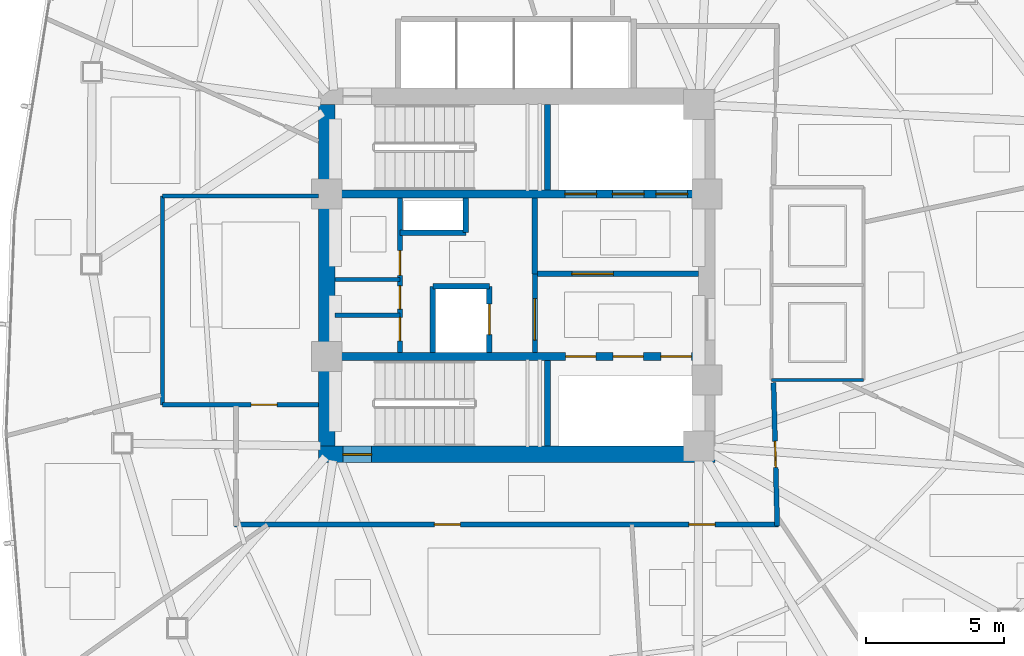
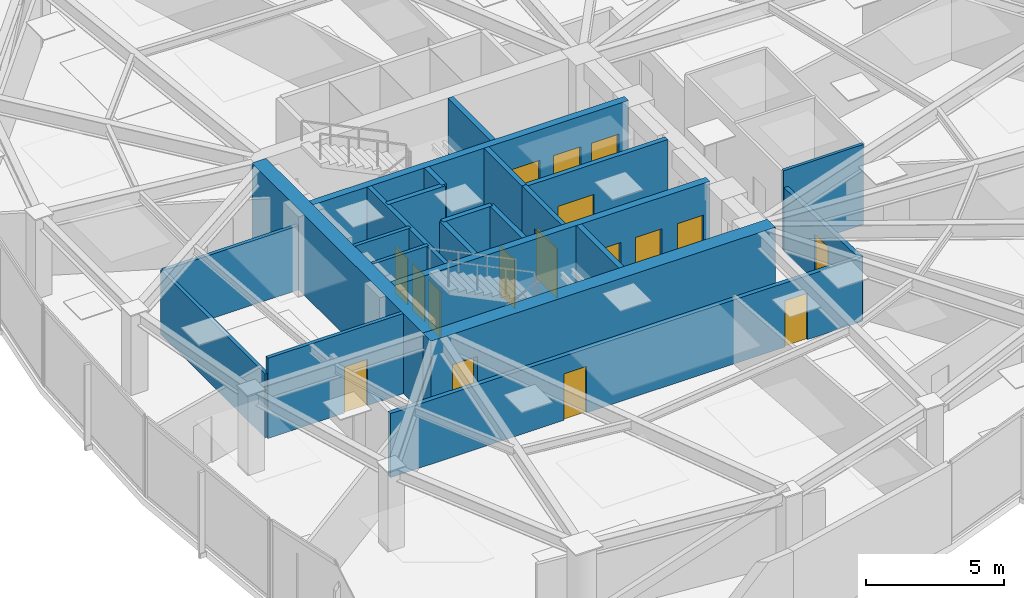
# One storey, part 11 of 17: 23 walls, 17 doors, 17 openings.
"""IFC4 building model written with IfcOpenShell, lengths in metres."""

from ifc_helpers import new_model, si_unit, direction, frame, frame_2d, origin, place, context, subcontext, project, spatial, rectangle, extrude, material, layer, layer_set, type_object, element, fill, save


model = new_model("IFC4")

# Units and contexts
model_context = context("Model", 3, precision=1e-05, world=origin(), true_north=direction((0.0, 1.0)))
body_context = subcontext(model_context, "Body", "Model", "MODEL_VIEW")
ifc_project = project(units=[si_unit("LENGTHUNIT", "METRE"), si_unit("AREAUNIT", "SQUARE_METRE"), si_unit("VOLUMEUNIT", "CUBIC_METRE"), si_unit("PLANEANGLEUNIT", "RADIAN"), si_unit("MASSUNIT", "GRAM", prefix="KILO")], contexts=[model_context])

# Site, building, storey
site_placement = place(None, origin())
site = spatial("IfcSite", under=ifc_project, at=site_placement, CompositionType="ELEMENT")
building_placement = place(site_placement, origin())
building = spatial("IfcBuilding", under=site, at=building_placement, Name="Tavelor Broadcast Tower", CompositionType="ELEMENT")
storey_placement = place(building_placement, frame((0.0, 0.0, 134.85009765625)))
storey = spatial("IfcBuildingStorey", under=building, at=storey_placement, Name="L31", CompositionType="ELEMENT", Elevation=134.85009765625)

# Wall, opening, door
ifc_material_1 = material(Name="Concrete C60/75", Category="concrete")
ifc_layer_1 = layer(ifc_material_1, 0.60009765625)
ifc_layer_set_1 = layer_set([ifc_layer_1], Name="Concrete C60/75")
wall_type_1 = type_object("IfcWallType", Name="Core Shear Wall 600 mm", PredefinedType="SHEAR", material=ifc_layer_set_1)
wall_1_placement = place(storey_placement, frame((42.800048828125, 38.5, 0.0), z_axis=(0.0, 0.0, 1.0), x_axis=(1.0, 0.0, 0.0)))
wall_1 = element("IfcWall", 1, at=wall_1_placement, inside=storey, type_object=wall_type_1, Name="L31 Central Core Shear Wall S", PredefinedType="SHEAR", context=body_context, shape_type="SweptSolid", body=[
    extrude(rectangle(XDim=14.39990234375, YDim=0.60009765625, at=frame_2d((7.199951171875, 0.0))), origin(), (0.0, 0.0, 1.0), 3.5498046875),
])
opening_1_placement = place(wall_1_placement, frame((0.8798828125, 0.0, 0.0)))
opening_1 = element("IfcOpeningElement", 2, at=opening_1_placement, cuts=wall_1, Name="Opening DR11", PredefinedType="OPENING", context=body_context, shape_type="SweptSolid", body=[
    extrude(rectangle(XDim=1.050048828125, YDim=2.199951171875, at=frame_2d((0.52490234375, 1.10009765625))), frame((0.0, 0.31005859375, 0.0), z_axis=(0.0, -1.0, 0.0), x_axis=(1.0, 0.0, 0.0)), (0.0, 0.0, 1.0), 0.6201171875),
])
ifc_material_2 = material(Name="Steel S355", Category="steel")
door_type_1 = type_object("IfcDoorType", Name="Stair Core Fire Escape Door 1050x2200", OperationType="NOTDEFINED", PredefinedType="DOOR", material=ifc_material_2)
door_1_placement = place(opening_1_placement, origin())
door_1 = element("IfcDoor", 3, at=door_1_placement, inside=storey, type_object=door_type_1, Name="L31 Stair ST2 Protected Exit Door", OperationType="SINGLE_SWING_RIGHT", OverallHeight=2.199951171875, OverallWidth=1.050048828125, PredefinedType="DOOR", context=body_context, shape_type="SweptSolid", body=[
    extrude(rectangle(XDim=1.050048828125, YDim=2.199951171875, at=frame_2d((0.52490234375, 1.10009765625))), frame((0.0, 0.02490234375, 0.0), z_axis=(0.0, -1.0, 0.0), x_axis=(1.0, 0.0, 0.0)), (0.0, 0.0, 1.0), 0.050048828125),
])
fill(opening_1, door_1)

# Wall
wall_2_placement = place(storey_placement, frame((43.10009765625, 38.800048828125, 0.0), z_axis=(0.0, 0.0, 1.0), x_axis=(0.0, 1.0, 0.0)))
element("IfcWall", 4, at=wall_2_placement, inside=storey, type_object=wall_type_1, Name="L31 Central Core Shear Wall W", PredefinedType="SHEAR", context=body_context, shape_type="SweptSolid", body=[
    extrude(rectangle(XDim=12.39990234375, YDim=0.60009765625, at=frame_2d((6.199951171875, 0.0))), origin(), (0.0, 0.0, 1.0), 3.5498046875),
])

# Wall, openings, doors
ifc_layer_2 = layer(ifc_material_1, 0.300048828125)
ifc_layer_set_2 = layer_set([ifc_layer_2], Name="Concrete C60/75")
wall_type_2 = type_object("IfcWallType", Name="Core Spine Shear Wall 300 mm C60", PredefinedType="SHEAR", material=ifc_layer_set_2)
wall_3_placement = place(storey_placement, frame((43.39990234375, 47.949951171875, 0.0), z_axis=(0.0, 0.0, 1.0), x_axis=(1.0, 0.0, 0.0)))
wall_3 = element("IfcWall", 5, at=wall_3_placement, inside=storey, type_object=wall_type_2, Name="L31 Central Core Shear Wall SP1", PredefinedType="SHEAR", context=body_context, shape_type="SweptSolid", body=[
    extrude(rectangle(XDim=13.2001953125, YDim=0.300048828125, at=frame_2d((6.60009765625, 0.0))), origin(), (0.0, 0.0, 1.0), 3.5498046875),
])
opening_2_placement = place(wall_3_placement, frame((8.344970703125, 0.0, 0.0)))
opening_2 = element("IfcOpeningElement", 6, at=opening_2_placement, cuts=wall_3, Name="Opening LD02", PredefinedType="OPENING", context=body_context, shape_type="SweptSolid", body=[
    extrude(rectangle(XDim=1.14990234375, YDim=2.199951171875, at=frame_2d((0.574951171875, 1.10009765625))), frame((0.0, 0.16015625, 0.0), z_axis=(0.0, -1.0, 0.0), x_axis=(1.0, 0.0, 0.0)), (0.0, 0.0, 1.0), 0.320068359375),
])
opening_3_placement = place(wall_3_placement, frame((10.06494140625, 0.0, 0.0)))
opening_3 = element("IfcOpeningElement", 7, at=opening_3_placement, cuts=wall_3, Name="Opening LD02", PredefinedType="OPENING", context=body_context, shape_type="SweptSolid", body=[
    extrude(rectangle(XDim=1.14990234375, YDim=2.199951171875, at=frame_2d((0.574951171875, 1.10009765625))), frame((0.0, 0.16015625, 0.0), z_axis=(0.0, -1.0, 0.0), x_axis=(1.0, 0.0, 0.0)), (0.0, 0.0, 1.0), 0.320068359375),
])
opening_4_placement = place(wall_3_placement, frame((11.64501953125, 0.0, 0.0)))
opening_4 = element("IfcOpeningElement", 8, at=opening_4_placement, cuts=wall_3, Name="Opening LD03", PredefinedType="OPENING", context=body_context, shape_type="SweptSolid", body=[
    extrude(rectangle(XDim=1.14990234375, YDim=2.199951171875, at=frame_2d((0.574951171875, 1.10009765625))), frame((0.0, 0.16015625, 0.0), z_axis=(0.0, -1.0, 0.0), x_axis=(1.0, 0.0, 0.0)), (0.0, 0.0, 1.0), 0.320068359375),
])
ifc_material_3 = material(Name="Reinforced Brushed Stainless Steel", Category="concrete")
door_type_2 = type_object("IfcDoorType", Name="Broadcast Goods Lift Sliding Landing Door 1250x2200", OperationType="NOTDEFINED", PredefinedType="DOOR", material=ifc_material_3)
door_2_placement = place(opening_4_placement, origin())
door_2 = element("IfcDoor", 9, at=door_2_placement, inside=storey, type_object=door_type_2, Name="L31 Lift SVL1 Sliding Landing Door", OperationType="SLIDING_TO_LEFT", OverallHeight=2.199951171875, OverallWidth=1.14990234375, PredefinedType="DOOR", context=body_context, shape_type="SweptSolid", body=[
    extrude(rectangle(XDim=1.14990234375, YDim=2.199951171875, at=frame_2d((0.574951171875, 1.10009765625))), frame((0.0, 0.02490234375, 0.0), z_axis=(0.0, -1.0, 0.0), x_axis=(1.0, 0.0, 0.0)), (0.0, 0.0, 1.0), 0.050048828125),
])
fill(opening_4, door_2)
ifc_material_4 = material(Name="Fire-Rated Stainless Steel", Category="steel")
door_type_3 = type_object("IfcDoorType", Name="Firefighting Lift Sliding Landing Door 1200x2200", OperationType="NOTDEFINED", PredefinedType="DOOR", material=ifc_material_4)
door_3_placement = place(opening_2_placement, origin())
door_3 = element("IfcDoor", 10, at=door_3_placement, inside=storey, type_object=door_type_3, Name="L31 Lift FFL1 Sliding Landing Door", OperationType="SLIDING_TO_LEFT", OverallHeight=2.199951171875, OverallWidth=1.14990234375, PredefinedType="DOOR", context=body_context, shape_type="SweptSolid", body=[
    extrude(rectangle(XDim=1.14990234375, YDim=2.199951171875, at=frame_2d((0.574951171875, 1.10009765625))), frame((0.0, 0.02490234375, 0.0), z_axis=(0.0, -1.0, 0.0), x_axis=(1.0, 0.0, 0.0)), (0.0, 0.0, 1.0), 0.050048828125),
])
fill(opening_2, door_3)
door_4_placement = place(opening_3_placement, origin())
door_4 = element("IfcDoor", 11, at=door_4_placement, inside=storey, type_object=door_type_3, Name="L31 Lift FFL2 Sliding Landing Door", OperationType="SLIDING_TO_LEFT", OverallHeight=2.199951171875, OverallWidth=1.14990234375, PredefinedType="DOOR", context=body_context, shape_type="SweptSolid", body=[
    extrude(rectangle(XDim=1.14990234375, YDim=2.199951171875, at=frame_2d((0.574951171875, 1.10009765625))), frame((0.0, 0.02490234375, 0.0), z_axis=(0.0, -1.0, 0.0), x_axis=(1.0, 0.0, 0.0)), (0.0, 0.0, 1.0), 0.050048828125),
])
fill(opening_3, door_4)

wall_4_placement = place(storey_placement, frame((43.39990234375, 42.050048828125, 0.0), z_axis=(0.0, 0.0, 1.0), x_axis=(1.0, 0.0, 0.0)))
wall_4 = element("IfcWall", 12, at=wall_4_placement, inside=storey, type_object=wall_type_2, Name="L31 Central Core Shear Wall SP2", PredefinedType="SHEAR", context=body_context, shape_type="SweptSolid", body=[
    extrude(rectangle(XDim=13.2001953125, YDim=0.300048828125, at=frame_2d((6.60009765625, 0.0))), origin(), (0.0, 0.0, 1.0), 3.5498046875),
])
opening_5_placement = place(wall_4_placement, frame((8.3701171875, 0.0, 0.0)))
opening_5 = element("IfcOpeningElement", 13, at=opening_5_placement, cuts=wall_4, Name="Opening LD01", PredefinedType="OPENING", context=body_context, shape_type="SweptSolid", body=[
    extrude(rectangle(XDim=1.10009765625, YDim=2.14990234375, at=frame_2d((0.550048828125, 1.074951171875))), frame((0.0, 0.16015625, 0.0), z_axis=(0.0, -1.0, 0.0), x_axis=(1.0, 0.0, 0.0)), (0.0, 0.0, 1.0), 0.320068359375),
])
opening_6_placement = place(wall_4_placement, frame((10.090087890625, 0.0, 0.0)))
opening_6 = element("IfcOpeningElement", 14, at=opening_6_placement, cuts=wall_4, Name="Opening LD01", PredefinedType="OPENING", context=body_context, shape_type="SweptSolid", body=[
    extrude(rectangle(XDim=1.10009765625, YDim=2.14990234375, at=frame_2d((0.550048828125, 1.074951171875))), frame((0.0, 0.16015625, 0.0), z_axis=(0.0, -1.0, 0.0), x_axis=(1.0, 0.0, 0.0)), (0.0, 0.0, 1.0), 0.320068359375),
])
opening_7_placement = place(wall_4_placement, frame((11.830078125, 0.0, 0.0)))
opening_7 = element("IfcOpeningElement", 15, at=opening_7_placement, cuts=wall_4, Name="Opening LD01", PredefinedType="OPENING", context=body_context, shape_type="SweptSolid", body=[
    extrude(rectangle(XDim=1.10009765625, YDim=2.14990234375, at=frame_2d((0.550048828125, 1.074951171875))), frame((0.0, 0.16015625, 0.0), z_axis=(0.0, -1.0, 0.0), x_axis=(1.0, 0.0, 0.0)), (0.0, 0.0, 1.0), 0.320068359375),
])
ifc_material_5 = material(Name="Brushed Stainless Steel", Category="steel")
door_type_4 = type_object("IfcDoorType", Name="Passenger Lift Sliding Landing Door 1100x2150", OperationType="NOTDEFINED", PredefinedType="DOOR", material=ifc_material_5)
door_5_placement = place(opening_5_placement, origin())
door_5 = element("IfcDoor", 16, at=door_5_placement, inside=storey, type_object=door_type_4, Name="L31 Lift PLM1 Sliding Landing Door", OperationType="SLIDING_TO_LEFT", OverallHeight=2.14990234375, OverallWidth=1.10009765625, PredefinedType="DOOR", context=body_context, shape_type="SweptSolid", body=[
    extrude(rectangle(XDim=1.10009765625, YDim=2.14990234375, at=frame_2d((0.550048828125, 1.074951171875))), frame((0.0, 0.02490234375, 0.0), z_axis=(0.0, -1.0, 0.0), x_axis=(1.0, 0.0, 0.0)), (0.0, 0.0, 1.0), 0.050048828125),
])
fill(opening_5, door_5)
door_6_placement = place(opening_6_placement, origin())
door_6 = element("IfcDoor", 17, at=door_6_placement, inside=storey, type_object=door_type_4, Name="L31 Lift PLM2 Sliding Landing Door", OperationType="SLIDING_TO_LEFT", OverallHeight=2.14990234375, OverallWidth=1.10009765625, PredefinedType="DOOR", context=body_context, shape_type="SweptSolid", body=[
    extrude(rectangle(XDim=1.10009765625, YDim=2.14990234375, at=frame_2d((0.550048828125, 1.074951171875))), frame((0.0, 0.02490234375, 0.0), z_axis=(0.0, -1.0, 0.0), x_axis=(1.0, 0.0, 0.0)), (0.0, 0.0, 1.0), 0.050048828125),
])
fill(opening_6, door_6)
door_7_placement = place(opening_7_placement, origin())
door_7 = element("IfcDoor", 18, at=door_7_placement, inside=storey, type_object=door_type_4, Name="L31 Lift PLM3 Sliding Landing Door", OperationType="SLIDING_TO_LEFT", OverallHeight=2.14990234375, OverallWidth=1.10009765625, PredefinedType="DOOR", context=body_context, shape_type="SweptSolid", body=[
    extrude(rectangle(XDim=1.10009765625, YDim=2.14990234375, at=frame_2d((0.550048828125, 1.074951171875))), frame((0.0, 0.02490234375, 0.0), z_axis=(0.0, -1.0, 0.0), x_axis=(1.0, 0.0, 0.0)), (0.0, 0.0, 1.0), 0.050048828125),
])
fill(opening_7, door_7)

# Wall, opening, door
ifc_material_6 = material(Name="Calcium Silicate Fire Board 180 mm", Category="gypsum")
ifc_layer_3 = layer(ifc_material_6, 0.179931640625)
ifc_layer_set_3 = layer_set([ifc_layer_3], Name="Calcium Silicate Fire Board 180 mm")
wall_type_3 = type_object("IfcWallType", Name="Fire-Rated Corridor Partition Wall 180 mm", PredefinedType="PARTITIONING", material=ifc_layer_set_3)
wall_5_placement = place(storey_placement, frame((50.64990234375, 42.199951171875, 0.0), z_axis=(0.0, 0.0, 1.0), x_axis=(0.0, 1.0, 0.0)))
wall_5 = element("IfcWall", 19, at=wall_5_placement, inside=storey, type_object=wall_type_3, Name="L31 Core Lobby Zoning Wall", PredefinedType="PARTITIONING", context=body_context, shape_type="SweptSolid", body=[
    extrude(rectangle(XDim=2.85009765625, YDim=0.179931640625, at=frame_2d((1.425048828125, 0.0))), origin(), (0.0, 0.0, 1.0), 3.5498046875),
])
opening_8_placement = place(wall_5_placement, frame((0.449951171875, 0.0, 0.0)))
opening_8 = element("IfcOpeningElement", 20, at=opening_8_placement, cuts=wall_5, Name="Opening DR14", PredefinedType="OPENING", context=body_context, shape_type="SweptSolid", body=[
    extrude(rectangle(XDim=1.5, YDim=2.199951171875, at=frame_2d((0.75, 1.10009765625))), frame((0.0, 0.10009765625, 0.0), z_axis=(0.0, -1.0, 0.0), x_axis=(1.0, 0.0, 0.0)), (0.0, 0.0, 1.0), 0.199951171875),
])
door_type_5 = type_object("IfcDoorType", Name="Firefighting Lobby Double Fire Door 1500x2200", OperationType="NOTDEFINED", PredefinedType="DOOR", material=ifc_material_2)
door_8_placement = place(opening_8_placement, origin())
door_8 = element("IfcDoor", 21, at=door_8_placement, inside=storey, type_object=door_type_5, Name="L31 Core West Lobby Double Fire Door", OperationType="SINGLE_SWING_LEFT", OverallHeight=2.199951171875, OverallWidth=1.5, PredefinedType="DOOR", context=body_context, shape_type="SweptSolid", body=[
    extrude(rectangle(XDim=1.5, YDim=2.199951171875, at=frame_2d((0.75, 1.10009765625))), frame((0.0, 0.02490234375, 0.0), z_axis=(0.0, -1.0, 0.0), x_axis=(1.0, 0.0, 0.0)), (0.0, 0.0, 1.0), 0.050048828125),
])
fill(opening_8, door_8)

# Wall, openings, doors
wall_6_placement = place(storey_placement, frame((45.75, 42.199951171875, 0.0), z_axis=(0.0, 0.0, 1.0), x_axis=(0.0, 1.0, 0.0)))
wall_6 = element("IfcWall", 22, at=wall_6_placement, inside=storey, type_object=wall_type_3, Name="L31 Core West Service East Wall", PredefinedType="PARTITIONING", context=body_context, shape_type="SweptSolid", body=[
    extrude(rectangle(XDim=5.60009765625, YDim=0.179931640625, at=frame_2d((2.800048828125, 0.0))), origin(), (0.0, 0.0, 1.0), 3.5498046875),
])
opening_9_placement = place(wall_6_placement, frame((0.419921875, 0.0, 0.0)))
opening_9 = element("IfcOpeningElement", 23, at=opening_9_placement, cuts=wall_6, Name="Opening DR36", PredefinedType="OPENING", context=body_context, shape_type="SweptSolid", body=[
    extrude(rectangle(XDim=0.85009765625, YDim=2.050048828125, at=frame_2d((0.425048828125, 1.02490234375))), frame((0.0, 0.10009765625, 0.0), z_axis=(0.0, -1.0, 0.0), x_axis=(1.0, 0.0, 0.0)), (0.0, 0.0, 1.0), 0.199951171875),
])
opening_10_placement = place(wall_6_placement, frame((1.570068359375, 0.0, 0.0)))
opening_10 = element("IfcOpeningElement", 24, at=opening_10_placement, cuts=wall_6, Name="Opening DR36", PredefinedType="OPENING", context=body_context, shape_type="SweptSolid", body=[
    extrude(rectangle(XDim=0.85009765625, YDim=2.050048828125, at=frame_2d((0.425048828125, 1.02490234375))), frame((0.0, 0.10009765625, 0.0), z_axis=(0.0, -1.0, 0.0), x_axis=(1.0, 0.0, 0.0)), (0.0, 0.0, 1.0), 0.199951171875),
])
opening_11_placement = place(wall_6_placement, frame((2.800048828125, 0.0, 0.0)))
opening_11 = element("IfcOpeningElement", 25, at=opening_11_placement, cuts=wall_6, Name="Opening DR32", PredefinedType="OPENING", context=body_context, shape_type="SweptSolid", body=[
    extrude(rectangle(XDim=0.89990234375, YDim=2.050048828125, at=frame_2d((0.449951171875, 1.02490234375))), frame((0.0, 0.10009765625, 0.0), z_axis=(0.0, -1.0, 0.0), x_axis=(1.0, 0.0, 0.0)), (0.0, 0.0, 1.0), 0.199951171875),
])
ifc_material_7 = material(Name="Timber Solid Core Hardwood", Category="wood")
door_type_6 = type_object("IfcDoorType", Name="Accessible Washroom Door 900x2050", OperationType="NOTDEFINED", PredefinedType="DOOR", material=ifc_material_7)
door_9_placement = place(opening_11_placement, origin())
door_9 = element("IfcDoor", 26, at=door_9_placement, inside=storey, type_object=door_type_6, Name="L31 Core Accessible WC Door", OperationType="SINGLE_SWING_LEFT", OverallHeight=2.050048828125, OverallWidth=0.89990234375, PredefinedType="DOOR", context=body_context, shape_type="SweptSolid", body=[
    extrude(rectangle(XDim=0.89990234375, YDim=2.050048828125, at=frame_2d((0.449951171875, 1.02490234375))), frame((0.0, 0.02490234375, 0.0), z_axis=(0.0, -1.0, 0.0), x_axis=(1.0, 0.0, 0.0)), (0.0, 0.0, 1.0), 0.050048828125),
])
fill(opening_11, door_9)
door_type_7 = type_object("IfcDoorType", Name="Service Room Fire Door 850x2050", OperationType="NOTDEFINED", PredefinedType="DOOR", material=ifc_material_2)
door_10_placement = place(opening_9_placement, origin())
door_10 = element("IfcDoor", 27, at=door_10_placement, inside=storey, type_object=door_type_7, Name="L31 Core Medical Room Door", OperationType="SINGLE_SWING_LEFT", OverallHeight=2.050048828125, OverallWidth=0.85009765625, PredefinedType="DOOR", context=body_context, shape_type="SweptSolid", body=[
    extrude(rectangle(XDim=0.85009765625, YDim=2.050048828125, at=frame_2d((0.425048828125, 1.02490234375))), frame((0.0, 0.02490234375, 0.0), z_axis=(0.0, -1.0, 0.0), x_axis=(1.0, 0.0, 0.0)), (0.0, 0.0, 1.0), 0.050048828125),
])
fill(opening_9, door_10)
door_11_placement = place(opening_10_placement, origin())
door_11 = element("IfcDoor", 28, at=door_11_placement, inside=storey, type_object=door_type_7, Name="L31 Core Copy Room Door", OperationType="SINGLE_SWING_RIGHT", OverallHeight=2.050048828125, OverallWidth=0.85009765625, PredefinedType="DOOR", context=body_context, shape_type="SweptSolid", body=[
    extrude(rectangle(XDim=0.85009765625, YDim=2.050048828125, at=frame_2d((0.425048828125, 1.02490234375))), frame((0.0, 0.02490234375, 0.0), z_axis=(0.0, -1.0, 0.0), x_axis=(1.0, 0.0, 0.0)), (0.0, 0.0, 1.0), 0.050048828125),
])
fill(opening_10, door_11)

# Wall, opening, door
wall_7_placement = place(storey_placement, frame((59.31640625, 41.10009765625, 0.0), z_axis=(0.0, 0.0, 1.0), x_axis=(0.025953695765, -0.999663146103, 0.0)))
wall_7 = element("IfcWall", 29, at=wall_7_placement, inside=storey, type_object=wall_type_3, Name="L31 Corridor Compartment Wall 03", PredefinedType="PARTITIONING", context=body_context, shape_type="SweptSolid", body=[
    extrude(rectangle(XDim=5.201904296875, YDim=0.179931640625, at=frame_2d((2.60107421875, 0.0))), origin(), (0.0, 0.0, 1.0), 2.8349609375),
])
opening_12_placement = place(wall_7_placement, frame((2.1259765625, 0.0, 0.0)))
opening_12 = element("IfcOpeningElement", 30, at=opening_12_placement, cuts=wall_7, Name="Opening DR18", PredefinedType="OPENING", context=body_context, shape_type="SweptSolid", body=[
    extrude(rectangle(XDim=0.949951171875, YDim=2.050048828125, at=frame_2d((0.47509765625, 1.02490234375))), frame((0.0, 0.10009765625, 0.0), z_axis=(0.0, -1.0, 0.0), x_axis=(1.0, 0.0, 0.0)), (0.0, 0.0, 1.0), 0.199951171875),
])
door_type_8 = type_object("IfcDoorType", Name="Corridor Rated Compartment Door 950x2050", OperationType="NOTDEFINED", PredefinedType="DOOR", material=ifc_material_7)
door_12_placement = place(opening_12_placement, origin())
door_12 = element("IfcDoor", 31, at=door_12_placement, inside=storey, type_object=door_type_8, Name="L31 Creative Huddle Room Door R0", OperationType="SINGLE_SWING_RIGHT", OverallHeight=2.050048828125, OverallWidth=0.949951171875, PredefinedType="DOOR", context=body_context, shape_type="SweptSolid", body=[
    extrude(rectangle(XDim=0.949951171875, YDim=2.050048828125, at=frame_2d((0.47509765625, 1.02490234375))), frame((0.0, 0.02490234375, 0.0), z_axis=(0.0, -1.0, 0.0), x_axis=(1.0, 0.0, 0.0)), (0.0, 0.0, 1.0), 0.050048828125),
])
fill(opening_12, door_12)

# Wall, openings, doors
wall_8_placement = place(storey_placement, frame((59.5, 35.949951171875, 0.0), z_axis=(0.0, 0.0, 1.0), x_axis=(-1.0, 0.0, 0.0)))
wall_8 = element("IfcWall", 32, at=wall_8_placement, inside=storey, type_object=wall_type_3, Name="L31 Corridor Compartment Wall 04", PredefinedType="PARTITIONING", context=body_context, shape_type="SweptSolid", body=[
    extrude(rectangle(XDim=19.75, YDim=0.179931640625, at=frame_2d((9.875, 0.0))), origin(), (0.0, 0.0, 1.0), 2.8349609375),
])
opening_13_placement = place(wall_8_placement, frame((2.3037109375, 0.0, 0.0)))
opening_13 = element("IfcOpeningElement", 33, at=opening_13_placement, cuts=wall_8, Name="Opening DR18", PredefinedType="OPENING", context=body_context, shape_type="SweptSolid", body=[
    extrude(rectangle(XDim=0.949951171875, YDim=2.050048828125, at=frame_2d((0.47509765625, 1.02490234375))), frame((0.0, 0.10009765625, 0.0), z_axis=(0.0, -1.0, 0.0), x_axis=(1.0, 0.0, 0.0)), (0.0, 0.0, 1.0), 0.199951171875),
])
opening_14_placement = place(wall_8_placement, frame((11.549560546875, 0.0, 0.0)))
opening_14 = element("IfcOpeningElement", 34, at=opening_14_placement, cuts=wall_8, Name="Opening DR18", PredefinedType="OPENING", context=body_context, shape_type="SweptSolid", body=[
    extrude(rectangle(XDim=0.949951171875, YDim=2.050048828125, at=frame_2d((0.47509765625, 1.02490234375))), frame((0.0, 0.10009765625, 0.0), z_axis=(0.0, -1.0, 0.0), x_axis=(1.0, 0.0, 0.0)), (0.0, 0.0, 1.0), 0.199951171875),
])
door_13_placement = place(opening_13_placement, origin())
door_13 = element("IfcDoor", 35, at=door_13_placement, inside=storey, type_object=door_type_8, Name="L31 Technical Mail and Post Room Door R9", OperationType="SINGLE_SWING_LEFT", OverallHeight=2.050048828125, OverallWidth=0.949951171875, PredefinedType="DOOR", context=body_context, shape_type="SweptSolid", body=[
    extrude(rectangle(XDim=0.949951171875, YDim=2.050048828125, at=frame_2d((0.47509765625, 1.02490234375))), frame((0.0, 0.02490234375, 0.0), z_axis=(0.0, -1.0, 0.0), x_axis=(1.0, 0.0, 0.0)), (0.0, 0.0, 1.0), 0.050048828125),
])
fill(opening_13, door_13)
door_14_placement = place(opening_14_placement, origin())
door_14 = element("IfcDoor", 36, at=door_14_placement, inside=storey, type_object=door_type_8, Name="L31 Producer Interview Room Door R2", OperationType="SINGLE_SWING_RIGHT", OverallHeight=2.050048828125, OverallWidth=0.949951171875, PredefinedType="DOOR", context=body_context, shape_type="SweptSolid", body=[
    extrude(rectangle(XDim=0.949951171875, YDim=2.050048828125, at=frame_2d((0.47509765625, 1.02490234375))), frame((0.0, 0.02490234375, 0.0), z_axis=(0.0, -1.0, 0.0), x_axis=(1.0, 0.0, 0.0)), (0.0, 0.0, 1.0), 0.050048828125),
])
fill(opening_14, door_14)

# Walls
ifc_material_8 = material(Name="Gypsum Acoustic Plasterboard 150 mm", Category="gypsum")
ifc_layer_4 = layer(ifc_material_8, 0.14990234375)
ifc_layer_set_4 = layer_set([ifc_layer_4], Name="Gypsum Acoustic Plasterboard 150 mm")
wall_type_4 = type_object("IfcWallType", Name="Interior Acoustic Partition Wall 150 mm", PredefinedType="PARTITIONING", material=ifc_layer_set_4)
for number, where, z_axis, x_axis, name in (
    (37, (43.39990234375, 43.550048828125, 0.0), (0.0, 0.0, 1.0), (1.0, 0.0, 0.0), "L31 Core Split Wall B1"),
    (38, (43.39990234375, 44.85009765625, 0.0), (0.0, 0.0, 1.0), (1.0, 0.0, 0.0), "L31 Core Split Wall B2"),
):
    element("IfcWall", number, at=place(storey_placement, frame(where, z_axis=z_axis, x_axis=x_axis)), inside=storey, type_object=wall_type_4, Name=name, PredefinedType="PARTITIONING", context=body_context, shape_type="SweptSolid", body=[
        extrude(rectangle(XDim=2.35009765625, YDim=0.14990234375, at=frame_2d((1.175048828125, 0.0))), origin(), (0.0, 0.0, 1.0), 3.5498046875),
    ])

# Wall, opening, door
wall_9_placement = place(storey_placement, frame((37.139892578125, 40.300048828125, 0.0), z_axis=(0.0, 0.0, 1.0), x_axis=(1.0, 0.0, 0.0)))
wall_9 = element("IfcWall", 39, at=wall_9_placement, inside=storey, type_object=wall_type_4, Name="L31 Reclaimed Shaft Pantry South Wall", PredefinedType="PARTITIONING", context=body_context, shape_type="SweptSolid", body=[
    extrude(rectangle(XDim=5.66015625, YDim=0.14990234375, at=frame_2d((2.830078125, 0.0))), origin(), (0.0, 0.0, 1.0), 3.5498046875),
])
opening_15_placement = place(wall_9_placement, frame((3.2099609375, 0.0, 0.0)))
opening_15 = element("IfcOpeningElement", 40, at=opening_15_placement, cuts=wall_9, Name="Opening DR18", PredefinedType="OPENING", context=body_context, shape_type="SweptSolid", body=[
    extrude(rectangle(XDim=0.949951171875, YDim=2.050048828125, at=frame_2d((0.47509765625, 1.02490234375))), frame((0.0, 0.0849609375, 0.0), z_axis=(0.0, -1.0, 0.0), x_axis=(1.0, 0.0, 0.0)), (0.0, 0.0, 1.0), 0.169921875),
])
door_15_placement = place(opening_15_placement, origin())
door_15 = element("IfcDoor", 41, at=door_15_placement, inside=storey, type_object=door_type_8, Name="L31 Broadcast IT Patch and Pantry Door", OperationType="SINGLE_SWING_LEFT", OverallHeight=2.050048828125, OverallWidth=0.949951171875, PredefinedType="DOOR", context=body_context, shape_type="SweptSolid", body=[
    extrude(rectangle(XDim=0.949951171875, YDim=2.050048828125, at=frame_2d((0.47509765625, 1.02490234375))), frame((0.0, 0.02490234375, 0.0), z_axis=(0.0, -1.0, 0.0), x_axis=(1.0, 0.0, 0.0)), (0.0, 0.0, 1.0), 0.050048828125),
])
fill(opening_15, door_15)

# Walls
wall_10_placement = place(storey_placement, frame((37.139892578125, 40.300048828125, 0.0), z_axis=(0.0, 0.0, 1.0), x_axis=(0.0, 1.0, 0.0)))
element("IfcWall", 42, at=wall_10_placement, inside=storey, type_object=wall_type_4, Name="L31 Reclaimed Shaft Pantry West Wall", PredefinedType="PARTITIONING", context=body_context, shape_type="SweptSolid", body=[
    extrude(rectangle(XDim=7.579833984375, YDim=0.14990234375, at=frame_2d((3.7900390625, 0.0))), origin(), (0.0, 0.0, 1.0), 2.8349609375),
])
wall_11_placement = place(storey_placement, frame((37.139892578125, 47.8798828125, 0.0), z_axis=(0.0, 0.0, 1.0), x_axis=(1.0, 0.0, 0.0)))
element("IfcWall", 43, at=wall_11_placement, inside=storey, type_object=wall_type_4, Name="L31 Reclaimed Shaft Pantry North Wall", PredefinedType="PARTITIONING", context=body_context, shape_type="SweptSolid", body=[
    extrude(rectangle(XDim=5.66015625, YDim=0.14990234375, at=frame_2d((2.830078125, 0.0))), origin(), (0.0, 0.0, 1.0), 2.8349609375),
])

# Wall, opening, door
ifc_material_9 = material(Name="Concrete Blockwork 200 mm", Category="masonry")
ifc_layer_5 = layer(ifc_material_9, 0.199951171875)
ifc_layer_set_5 = layer_set([ifc_layer_5], Name="Concrete Blockwork 200 mm")
wall_type_5 = type_object("IfcWallType", Name="Lift Hoistway Rated Front Wall 200 mm", PredefinedType="PARTITIONING", material=ifc_layer_set_5)
wall_12_placement = place(storey_placement, frame((49.0, 42.199951171875, 0.0), z_axis=(0.0, 0.0, 1.0), x_axis=(0.0, 1.0, 0.0)))
wall_12 = element("IfcWall", 44, at=wall_12_placement, inside=storey, type_object=wall_type_5, Name="L31 Mid-Rise Lift PLM4 Hoistway Front Wall", PredefinedType="PARTITIONING", context=body_context, shape_type="SweptSolid", body=[
    extrude(rectangle(XDim=2.400146484375, YDim=0.199951171875, at=frame_2d((1.2001953125, 0.0))), origin(), (0.0, 0.0, 1.0), 3.5498046875),
])
opening_16_placement = place(wall_12_placement, frame((0.64990234375, 0.0, 0.0)))
opening_16 = element("IfcOpeningElement", 45, at=opening_16_placement, cuts=wall_12, Name="Opening LD01", PredefinedType="OPENING", context=body_context, shape_type="SweptSolid", body=[
    extrude(rectangle(XDim=1.10009765625, YDim=2.14990234375, at=frame_2d((0.550048828125, 1.074951171875))), frame((0.0, 0.10986328125, 0.0), z_axis=(0.0, -1.0, 0.0), x_axis=(1.0, 0.0, 0.0)), (0.0, 0.0, 1.0), 0.219970703125),
])
door_16_placement = place(opening_16_placement, origin())
door_16 = element("IfcDoor", 46, at=door_16_placement, inside=storey, type_object=door_type_4, Name="L31 Lift PLM4 Sliding Landing Door", OperationType="SLIDING_TO_RIGHT", OverallHeight=2.14990234375, OverallWidth=1.10009765625, PredefinedType="DOOR", context=body_context, shape_type="SweptSolid", body=[
    extrude(rectangle(XDim=1.10009765625, YDim=2.14990234375, at=frame_2d((0.550048828125, 1.074951171875))), frame((0.0, 0.02490234375, 0.0), z_axis=(0.0, -1.0, 0.0), x_axis=(1.0, 0.0, 0.0)), (0.0, 0.0, 1.0), 0.050048828125),
])
fill(opening_16, door_16)

# Walls
ifc_layer_6 = layer(ifc_material_9, 0.199951171875)
ifc_layer_set_6 = layer_set([ifc_layer_6], Name="Concrete Blockwork 200 mm")
wall_type_6 = type_object("IfcWallType", Name="Lift and Riser Shaft Enclosure Wall 200 mm", PredefinedType="PARTITIONING", material=ifc_layer_set_6)
wall_13_placement = place(storey_placement, frame((45.75, 46.550048828125, 0.0), z_axis=(0.0, 0.0, 1.0), x_axis=(1.0, 0.0, 0.0)))
element("IfcWall", 47, at=wall_13_placement, inside=storey, type_object=wall_type_6, Name="L31 Riser Shaft South Wall", PredefinedType="PARTITIONING", context=body_context, shape_type="SweptSolid", body=[
    extrude(rectangle(XDim=2.39990234375, YDim=0.199951171875, at=frame_2d((1.199951171875, 0.0))), origin(), (0.0, 0.0, 1.0), 3.5498046875),
])
wall_14_placement = place(storey_placement, frame((48.14990234375, 46.550048828125, 0.0), z_axis=(0.0, 0.0, 1.0), x_axis=(0.0, 1.0, 0.0)))
element("IfcWall", 48, at=wall_14_placement, inside=storey, type_object=wall_type_6, Name="L31 Riser Shaft East Wall", PredefinedType="PARTITIONING", context=body_context, shape_type="SweptSolid", body=[
    extrude(rectangle(XDim=1.25, YDim=0.199951171875, at=frame_2d((0.625, 0.0))), origin(), (0.0, 0.0, 1.0), 3.5498046875),
])
wall_15_placement = place(storey_placement, frame((46.949951171875, 42.199951171875, 0.0), z_axis=(0.0, 0.0, 1.0), x_axis=(0.0, 1.0, 0.0)))
element("IfcWall", 49, at=wall_15_placement, inside=storey, type_object=wall_type_6, Name="L31 Mid-Rise Lift PLM4 West Wall", PredefinedType="PARTITIONING", context=body_context, shape_type="SweptSolid", body=[
    extrude(rectangle(XDim=2.400146484375, YDim=0.199951171875, at=frame_2d((1.2001953125, 0.0))), origin(), (0.0, 0.0, 1.0), 3.5498046875),
])
wall_16_placement = place(storey_placement, frame((46.949951171875, 44.60009765625, 0.0), z_axis=(0.0, 0.0, 1.0), x_axis=(1.0, 0.0, 0.0)))
element("IfcWall", 50, at=wall_16_placement, inside=storey, type_object=wall_type_6, Name="L31 Mid-Rise Lift PLM4 North Wall", PredefinedType="PARTITIONING", context=body_context, shape_type="SweptSolid", body=[
    extrude(rectangle(XDim=2.050048828125, YDim=0.199951171875, at=frame_2d((1.02490234375, 0.0))), origin(), (0.0, 0.0, 1.0), 3.5498046875),
])

# Wall, opening, door
wall_17_placement = place(storey_placement, frame((50.64990234375, 45.050048828125, 0.0), z_axis=(0.0, 0.0, 1.0), x_axis=(1.0, 0.0, 0.0)))
wall_17 = element("IfcWall", 51, at=wall_17_placement, inside=storey, type_object=wall_type_6, Name="L31 Firefighting Lobby South Wall", PredefinedType="PARTITIONING", context=body_context, shape_type="SweptSolid", body=[
    extrude(rectangle(XDim=5.9501953125, YDim=0.199951171875, at=frame_2d((2.97509765625, 0.0))), origin(), (0.0, 0.0, 1.0), 3.5498046875),
])
opening_17_placement = place(wall_17_placement, frame((1.35009765625, 0.0, 0.0)))
opening_17 = element("IfcOpeningElement", 52, at=opening_17_placement, cuts=wall_17, Name="Opening DR14", PredefinedType="OPENING", context=body_context, shape_type="SweptSolid", body=[
    extrude(rectangle(XDim=1.5, YDim=2.199951171875, at=frame_2d((0.75, 1.10009765625))), frame((0.0, 0.10986328125, 0.0), z_axis=(0.0, -1.0, 0.0), x_axis=(1.0, 0.0, 0.0)), (0.0, 0.0, 1.0), 0.219970703125),
])
door_17_placement = place(opening_17_placement, origin())
door_17 = element("IfcDoor", 53, at=door_17_placement, inside=storey, type_object=door_type_5, Name="L31 Firefighting Lobby Compartment Door", OperationType="SINGLE_SWING_RIGHT", OverallHeight=2.199951171875, OverallWidth=1.5, PredefinedType="DOOR", context=body_context, shape_type="SweptSolid", body=[
    extrude(rectangle(XDim=1.5, YDim=2.199951171875, at=frame_2d((0.75, 1.10009765625))), frame((0.0, 0.02490234375, 0.0), z_axis=(0.0, -1.0, 0.0), x_axis=(1.0, 0.0, 0.0)), (0.0, 0.0, 1.0), 0.050048828125),
])
fill(opening_17, door_17)

# Walls
wall_18_placement = place(storey_placement, frame((50.64990234375, 45.050048828125, 0.0), z_axis=(0.0, 0.0, 1.0), x_axis=(0.0, 1.0, 0.0)))
element("IfcWall", 54, at=wall_18_placement, inside=storey, type_object=wall_type_6, Name="L31 Firefighting Lobby West Wall", PredefinedType="PARTITIONING", context=body_context, shape_type="SweptSolid", body=[
    extrude(rectangle(XDim=2.75, YDim=0.199951171875, at=frame_2d((1.375, 0.0))), origin(), (0.0, 0.0, 1.0), 3.5498046875),
])
ifc_material_10 = material(Name="Moisture-Resistant Plasterboard 120 mm", Category="gypsum")
ifc_layer_7 = layer(ifc_material_10, 0.1201171875)
ifc_layer_set_7 = layer_set([ifc_layer_7], Name="Moisture-Resistant Plasterboard 120 mm")
wall_type_7 = type_object("IfcWallType", Name="Moisture-Resistant Wet-Room Partition 120 mm", PredefinedType="PARTITIONING", material=ifc_layer_set_7)
wall_19_placement = place(storey_placement, frame((59.239990234375, 41.199951171875, 0.0), z_axis=(0.0, 0.0, 1.0), x_axis=(1.0, 0.0, 0.0)))
element("IfcWall", 55, at=wall_19_placement, inside=storey, type_object=wall_type_7, Name="L31 Floor Washrooms South Wall", PredefinedType="PARTITIONING", context=body_context, shape_type="SweptSolid", body=[
    extrude(rectangle(XDim=3.340087890625, YDim=0.1201171875, at=frame_2d((1.669921875, 0.0))), origin(), (0.0, 0.0, 1.0), 3.5498046875),
])
ifc_material_11 = material(Name="Concrete C40/50", Category="concrete")
ifc_layer_8 = layer(ifc_material_11, 0.219970703125)
ifc_layer_set_8 = layer_set([ifc_layer_8], Name="Concrete C40/50")
wall_type_8 = type_object("IfcWallType", Name="Structural Stairwell Shear Wall 220 mm", PredefinedType="SHEAR", material=ifc_layer_set_8)
for number, where, z_axis, x_axis, name in (
    (56, (51.110107421875, 48.10009765625, 0.0), (0.0, 0.0, 1.0), (0.0, 1.0, 0.0), "L31 Stair ST1 Structural Shaft Wall"),
    (57, (51.110107421875, 38.800048828125, 0.0), (0.0, 0.0, 1.0), (0.0, 1.0, 0.0), "L31 Stair ST2 Structural Shaft Wall"),
):
    element("IfcWall", number, at=place(storey_placement, frame(where, z_axis=z_axis, x_axis=x_axis)), inside=storey, type_object=wall_type_8, Name=name, PredefinedType="SHEAR", context=body_context, shape_type="SweptSolid", body=[
        extrude(rectangle(XDim=3.099853515625, YDim=0.219970703125, at=frame_2d((1.5498046875, 0.0))), origin(), (0.0, 0.0, 1.0), 3.5498046875),
    ])

save(model, "model.ifc")
